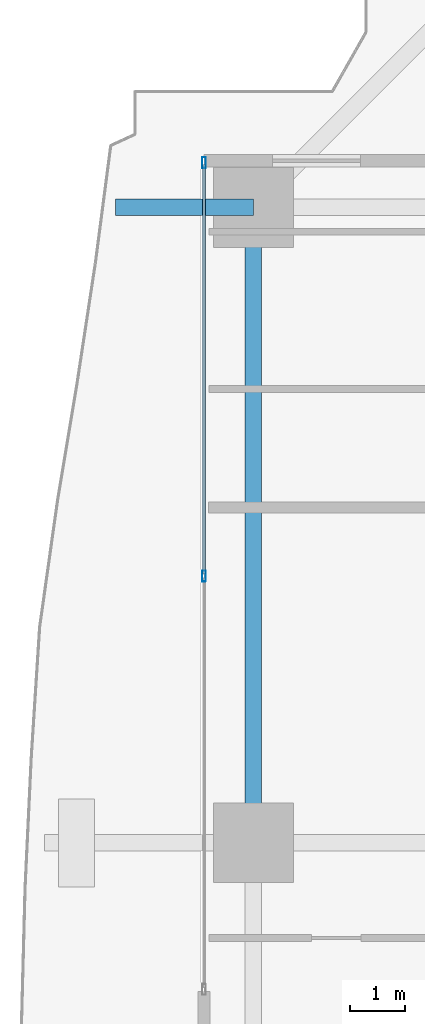
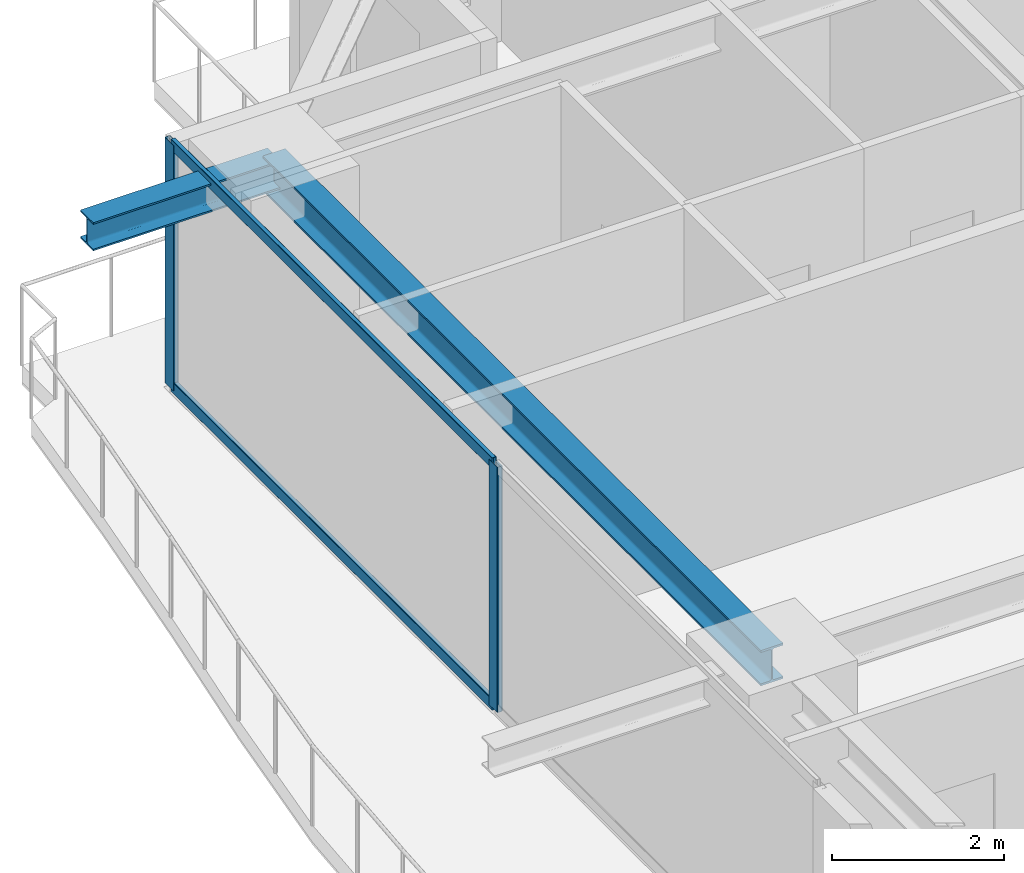
# One storey, part 15 of 34: 4 members, 2 beams, 1 element without a shape of its own.
"""IFC4 building model written with IfcOpenShell, lengths in metres."""

from ifc_helpers import new_model, si_unit, direction, frame, origin, origin_2d, place, context, subcontext, project, spatial, hollow_rectangle, i_section, extrude, source, transform, mapped, material, layer, layer_set, material_profile, profile_set, type_object, element, aggregate, save


model = new_model("IFC4")

# Units and contexts
model_context = context("Model", 3, precision=1e-05, world=origin(), true_north=direction((0.0, 1.0)))
body_context = subcontext(model_context, "Body", "Model", "MODEL_VIEW")
ifc_project = project(units=[si_unit("LENGTHUNIT", "METRE"), si_unit("AREAUNIT", "SQUARE_METRE"), si_unit("VOLUMEUNIT", "CUBIC_METRE"), si_unit("PLANEANGLEUNIT", "RADIAN"), si_unit("MASSUNIT", "GRAM", prefix="KILO")], contexts=[model_context])

# Site, building, storey
site_placement = place(None, origin())
site = spatial("IfcSite", under=ifc_project, at=site_placement, CompositionType="ELEMENT")
building_placement = place(site_placement, origin())
building = spatial("IfcBuilding", under=site, at=building_placement, Name="Serunith Strait Residences", CompositionType="ELEMENT")
storey_placement = place(building_placement, frame((0.0, 0.0, 101.699951171875)))
storey = spatial("IfcBuildingStorey", under=building, at=storey_placement, Name="L25", CompositionType="ELEMENT", Elevation=101.699951171875)

# Beams
ifc_material_1 = material(Name="Steel S355J2", Category="steel")
ifc_material_profile_1 = material_profile(ifc_material_1, i_section(OverallWidth=0.300048828125, OverallDepth=0.5, WebThickness=0.014404296875, FlangeThickness=0.028076171875, FilletRadius=0.027099609375, at=origin_2d()), Name="HEB 500")
ifc_profile_set_1 = profile_set([ifc_material_profile_1], Name="Steel S355J2")
beam_type_1 = type_object("IfcBeamType", Name="BM-HEB500", PredefinedType="BEAM", material=ifc_profile_set_1)
shared_shape_1 = source(origin(), body_context, "Body", "SweptSolid", [
    extrude(i_section(OverallWidth=0.300048828125, OverallDepth=0.5, WebThickness=0.014404296875, FlangeThickness=0.028076171875, FilletRadius=0.027099609375, at=origin_2d()), origin(), (0.0, 0.0, 1.0), 11.550048828125),
])
beam_1_placement = place(storey_placement, frame((6.89990234375, 40.949951171875, 3.237060546875), z_axis=(0.0, -1.0, 0.0), x_axis=(1.0, 0.0, 0.0)))
element("IfcBeam", 1, at=beam_1_placement, inside=storey, type_object=beam_type_1, Name="L25 Perimeter Ring Beam 13", PredefinedType="BEAM", context=body_context, shape_type="MappedRepresentation", body=[
    mapped(shared_shape_1, transform((0.0, 0.0, 0.0), scale=1.0)),
])
ifc_material_profile_2 = material_profile(ifc_material_1, i_section(OverallWidth=0.300048828125, OverallDepth=0.39990234375, WebThickness=0.013427734375, FlangeThickness=0.02392578125, FilletRadius=0.027099609375, at=origin_2d()), Name="HEB 400")
ifc_profile_set_2 = profile_set([ifc_material_profile_2], Name="Steel S355J2")
beam_type_2 = type_object("IfcBeamType", Name="BM-HEB400", PredefinedType="BEAM", material=ifc_profile_set_2)
shared_shape_2 = source(origin(), body_context, "Body", "SweptSolid", [
    extrude(i_section(OverallWidth=0.300048828125, OverallDepth=0.39990234375, WebThickness=0.013427734375, FlangeThickness=0.02392578125, FilletRadius=0.027099609375, at=origin_2d()), origin(), (0.0, 0.0, 1.0), 2.507568359375),
])
beam_2_placement = place(storey_placement, frame((6.89990234375, 40.949951171875, 3.257080078125), z_axis=(-1.0, 0.0, 0.0), x_axis=(0.0, -1.0, 0.0)))
element("IfcBeam", 2, at=beam_2_placement, inside=storey, type_object=beam_type_2, Name="L26 Cantilevered Balcony Rib TC-W4", PredefinedType="BEAM", context=body_context, shape_type="MappedRepresentation", body=[
    mapped(shared_shape_2, transform((0.0, 0.0, 0.0), scale=1.0)),
])

# Curtain wall, members
ifc_material_2 = material(Name="Pale-Champagne Anodised Aluminium", Category="aluminium")
ifc_layer = layer(ifc_material_2, 0.199951171875, Name="Pale-Champagne Anodised Aluminium")
ifc_layer_set = layer_set([ifc_layer], Name="Pale-Champagne Anodised Aluminium")
curtain_wall_type = type_object("IfcCurtainWallType", Name="CW-SYS1", PredefinedType="NOTDEFINED", material=ifc_layer_set)
curtain_wall_placement = place(storey_placement, origin())
curtain_wall = element("IfcCurtainWall", 3, at=curtain_wall_placement, inside=storey, type_object=curtain_wall_type, Name="L25 W Unitised Fritted Curtain Wall", PredefinedType="NOTDEFINED")
ifc_material_profile_3 = material_profile(ifc_material_2, hollow_rectangle(XDim=0.070068359375, YDim=0.199951171875, WallThickness=0.00390625, InnerFilletRadius=0.006103515625, OuterFilletRadius=0.010009765625, at=origin_2d()), Name="ALU 200x70x4")
ifc_profile_set_3 = profile_set([ifc_material_profile_3], Name="Pale-Champagne Anodised Aluminium")
member_type_1 = type_object("IfcMemberType", Name="CW-SYS1-MULL", PredefinedType="MULLION", material=ifc_profile_set_3)
shared_shape_3 = source(origin(), body_context, "Body", "SweptSolid", [
    extrude(hollow_rectangle(XDim=0.070068359375, YDim=0.199951171875, WallThickness=0.00390625, InnerFilletRadius=0.006103515625, OuterFilletRadius=0.010009765625, at=origin_2d()), origin(), (0.0, 0.0, 1.0), 3.47509765625),
])
member_1_placement = place(storey_placement, frame((6.0, 41.764892578125, 0.0), z_axis=(0.0, 0.0, 1.0), x_axis=(1.0, 0.0, 0.0)))
member_1 = element("IfcMember", 4, at=member_1_placement, type_object=member_type_1, Name="CW-1 mullion 1", PredefinedType="MULLION", context=body_context, shape_type="MappedRepresentation", body=[
    mapped(shared_shape_3, transform((0.0, 0.0, 0.0), scale=1.0)),
])
member_2_placement = place(storey_placement, frame((6.0, 34.25, 0.0), z_axis=(0.0, 0.0, 1.0), x_axis=(1.0, 0.0, 0.0)))
member_2 = element("IfcMember", 5, at=member_2_placement, type_object=member_type_1, Name="CW-1 mullion 2", PredefinedType="MULLION", context=body_context, shape_type="MappedRepresentation", body=[
    mapped(shared_shape_3, transform((0.0, 0.0, 0.0), scale=1.0)),
])
ifc_material_profile_4 = material_profile(ifc_material_2, hollow_rectangle(XDim=0.06005859375, YDim=0.159912109375, WallThickness=0.00341796875, InnerFilletRadius=0.00537109375, OuterFilletRadius=0.0087890625, at=origin_2d()), Name="ALU 160x60x3.5")
ifc_profile_set_4 = profile_set([ifc_material_profile_4], Name="Pale-Champagne Anodised Aluminium")
member_type_2 = type_object("IfcMemberType", Name="CW-SYS1-TRAN", PredefinedType="USERDEFINED", material=ifc_profile_set_4)
shared_shape_4 = source(origin(), body_context, "Body", "SweptSolid", [
    extrude(hollow_rectangle(XDim=0.06005859375, YDim=0.159912109375, WallThickness=0.00341796875, InnerFilletRadius=0.00537109375, OuterFilletRadius=0.0087890625, at=origin_2d()), origin(), (0.0, 0.0, 1.0), 7.445068359375),
])
member_3_placement = place(storey_placement, frame((6.0, 41.72998046875, 0.030029296875), z_axis=(0.0, -1.0, 0.0), x_axis=(1.0, 0.0, 0.0)))
member_3 = element("IfcMember", 6, at=member_3_placement, type_object=member_type_2, Name="CW-1 transom 1.1", ObjectType="TRANSOM", PredefinedType="USERDEFINED", context=body_context, shape_type="MappedRepresentation", body=[
    mapped(shared_shape_4, transform((0.0, 0.0, 0.0), scale=1.0)),
])
member_4_placement = place(storey_placement, frame((6.0, 41.72998046875, 3.445068359375), z_axis=(0.0, -1.0, 0.0), x_axis=(1.0, 0.0, 0.0)))
member_4 = element("IfcMember", 7, at=member_4_placement, type_object=member_type_2, Name="CW-1 transom 1.2", ObjectType="TRANSOM", PredefinedType="USERDEFINED", context=body_context, shape_type="MappedRepresentation", body=[
    mapped(shared_shape_4, transform((0.0, 0.0, 0.0), scale=1.0)),
])
aggregate(curtain_wall, [member_1, member_2, member_3, member_4])

save(model, "model.ifc")
